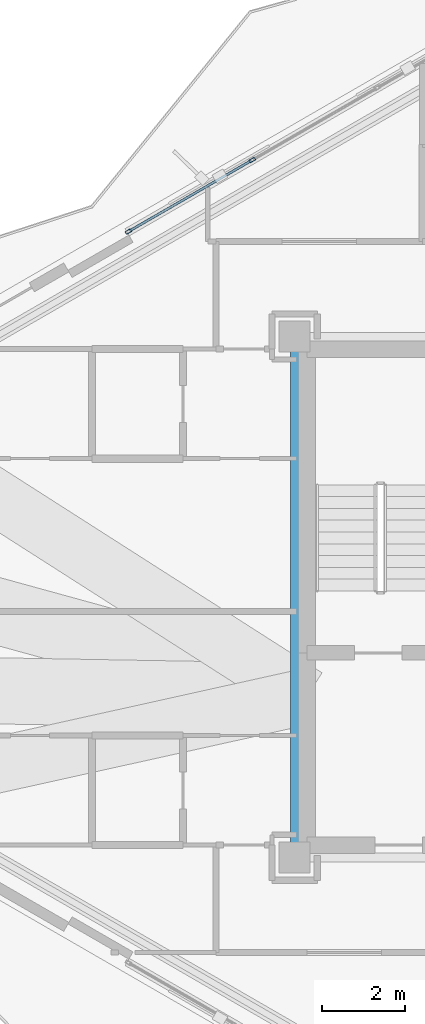
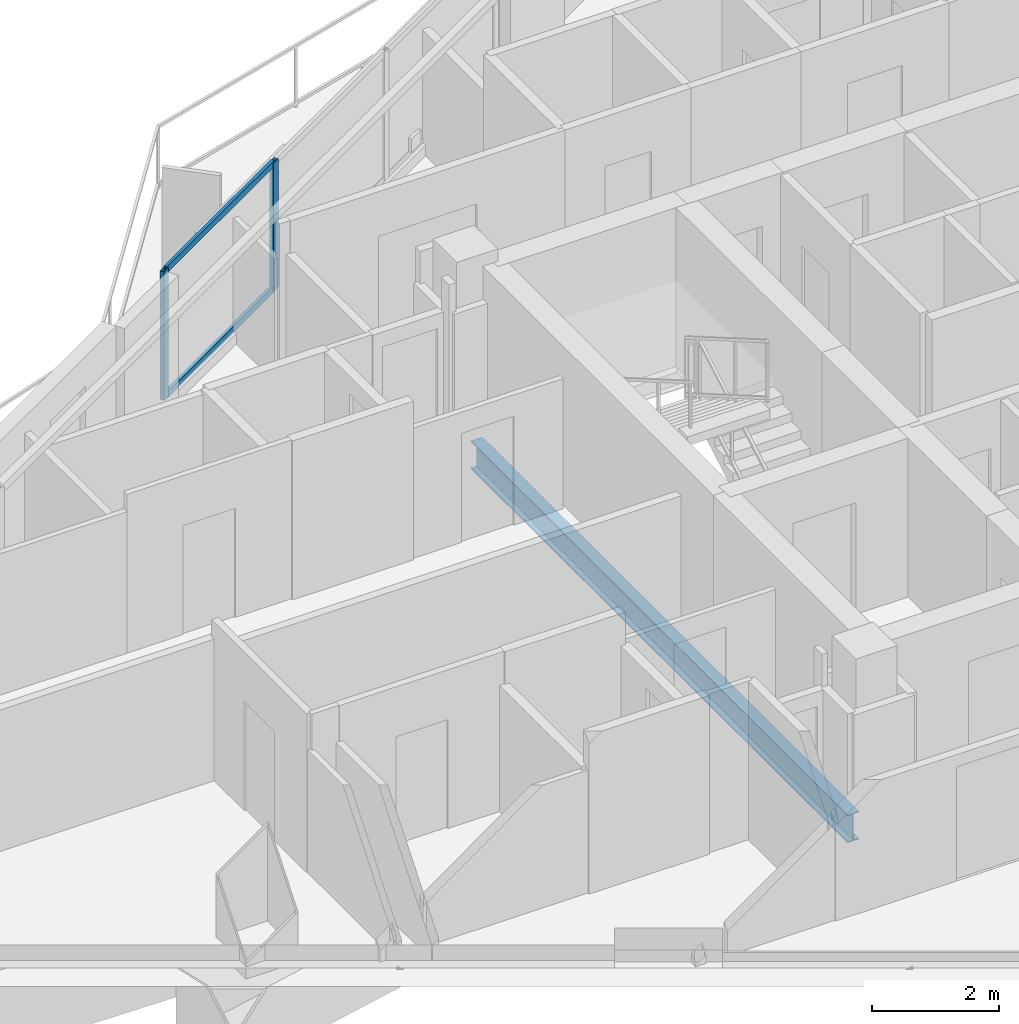
# One storey, part 6 of 21: 4 members, 1 beam, 1 element without a shape of its own.
"""IFC4 building model written with IfcOpenShell, lengths in metres."""

from ifc_helpers import new_model, si_unit, direction, frame, origin, origin_2d, place, context, subcontext, project, spatial, hollow_rectangle, i_section, extrude, material, layer, layer_set, material_profile, profile_set, type_object, element, aggregate, save


model = new_model("IFC4")

# Units and contexts
model_context = context("Model", 3, precision=1e-05, world=origin(), true_north=direction((0.0, 1.0)))
body_context = subcontext(model_context, "Body", "Model", "MODEL_VIEW")
ifc_project = project(units=[si_unit("LENGTHUNIT", "METRE"), si_unit("AREAUNIT", "SQUARE_METRE"), si_unit("VOLUMEUNIT", "CUBIC_METRE"), si_unit("PLANEANGLEUNIT", "RADIAN"), si_unit("MASSUNIT", "GRAM", prefix="KILO")], contexts=[model_context])

# Site, building, storey
site_placement = place(None, origin())
site = spatial("IfcSite", under=ifc_project, at=site_placement, CompositionType="ELEMENT")
building_placement = place(site_placement, origin())
building = spatial("IfcBuilding", under=site, at=building_placement, Name="Mersakhor Tower and Convention Hall", CompositionType="ELEMENT")
storey_placement = place(building_placement, frame((0.0, 0.0, 121.199951171875)))
storey = spatial("IfcBuildingStorey", under=building, at=storey_placement, Name="L33", CompositionType="ELEMENT", Elevation=121.199951171875)

# Beam
ifc_material_1 = material(Name="Steel S355", Category="steel")
ifc_material_profile_1 = material_profile(ifc_material_1, i_section(OverallWidth=0.2099609375, OverallDepth=0.53662109375, WebThickness=0.0107421875, FlangeThickness=0.017333984375, at=origin_2d()), Name="UB 533x210x101")
ifc_profile_set_1 = profile_set([ifc_material_profile_1], Name="Steel S355")
beam_type = type_object("IfcBeamType", Name="BM-FB-533", PredefinedType="BEAM", material=ifc_profile_set_1)
beam_placement = place(storey_placement, frame((21.89990234375, 20.804931640625, -0.50830078125), z_axis=(0.0, 1.0, 0.0), x_axis=(-1.0, 0.0, 0.0)))
element("IfcBeam", 1, at=beam_placement, inside=storey, type_object=beam_type, Name="L33 Core Ring Tie Beam CRB-1", PredefinedType="BEAM", context=body_context, shape_type="SweptSolid", body=[
    extrude(i_section(OverallWidth=0.2099609375, OverallDepth=0.53662109375, WebThickness=0.0107421875, FlangeThickness=0.017333984375, at=origin_2d()), origin(), (0.0, 0.0, 1.0), 11.89013671875),
])

# Curtain wall, members
ifc_material_2 = material(Name="Dark solar low-E aluminium curtain wall", Category="aluminium")
ifc_layer = layer(ifc_material_2, 0.169921875)
ifc_layer_set = layer_set([ifc_layer], Name="Dark solar low-E aluminium curtain wall")
curtain_wall_type = type_object("IfcCurtainWallType", Name="CW-SYS-02", PredefinedType="USERDEFINED", material=ifc_layer_set)
curtain_wall_placement = place(storey_placement, origin())
curtain_wall = element("IfcCurtainWall", 2, at=curtain_wall_placement, inside=storey, type_object=curtain_wall_type, Name="L33 Dark-Glass Curtain Wall F1-B2", ObjectType="CURTAIN WALL", PredefinedType="USERDEFINED")
ifc_material_3 = material(Name="Anodised aluminium EN AW-6063 T6", Category="aluminium")
ifc_material_profile_2 = material_profile(ifc_material_3, hollow_rectangle(XDim=0.074951171875, YDim=0.14990234375, WallThickness=0.00634765625, at=origin_2d()), Name="RHS 150x75x6.3")
ifc_profile_set_2 = profile_set([ifc_material_profile_2], Name="Anodised aluminium EN AW-6063 T6")
member_type_1 = type_object("IfcMemberType", Name="CWM-150x75", PredefinedType="MULLION", material=ifc_profile_set_2)
member_1_placement = place(storey_placement, frame((17.88232421875, 35.595458984375, 0.199951171875), z_axis=(0.0, 0.0, 1.0), x_axis=(-0.499990468363, 0.866030906807, 0.0)))
member_1 = element("IfcMember", 3, at=member_1_placement, type_object=member_type_1, Name="CW-02 mullion 1", PredefinedType="MULLION", context=body_context, shape_type="SweptSolid", body=[
    extrude(hollow_rectangle(XDim=0.074951171875, YDim=0.14990234375, WallThickness=0.00634765625, at=origin_2d()), origin(), (0.0, 0.0, 1.0), 2.47998046875),
])
member_2_placement = place(storey_placement, frame((20.876953125, 37.32421875, 0.199951171875), z_axis=(0.0, 0.0, 1.0), x_axis=(-0.499990468363, 0.866030906807, 0.0)))
member_2 = element("IfcMember", 4, at=member_2_placement, type_object=member_type_1, Name="CW-02 mullion 2", PredefinedType="MULLION", context=body_context, shape_type="SweptSolid", body=[
    extrude(hollow_rectangle(XDim=0.074951171875, YDim=0.14990234375, WallThickness=0.00634765625, at=origin_2d()), origin(), (0.0, 0.0, 1.0), 2.47998046875),
])
ifc_material_4 = material(Name="Anodised aluminium EN AW-6063 T6", Category="aluminium")
ifc_material_profile_3 = material_profile(ifc_material_4, hollow_rectangle(XDim=0.06005859375, YDim=0.1201171875, WallThickness=0.0048828125, at=origin_2d()), Name="RHS 120x60x5")
ifc_profile_set_3 = profile_set([ifc_material_profile_3], Name="Anodised aluminium EN AW-6063 T6")
member_type_2 = type_object("IfcMemberType", Name="CWT-120x60", PredefinedType="USERDEFINED", material=ifc_profile_set_3)
member_3_placement = place(storey_placement, frame((17.914794921875, 35.6142578125, 0.22998046875), z_axis=(0.866031754707, 0.499988999718, 0.0), x_axis=(-0.499988999718, 0.866031754707, 0.0)))
member_3 = element("IfcMember", 5, at=member_3_placement, type_object=member_type_2, Name="CW-02 transom 1.1", ObjectType="TRANSOM", PredefinedType="USERDEFINED", context=body_context, shape_type="SweptSolid", body=[
    extrude(hollow_rectangle(XDim=0.06005859375, YDim=0.1201171875, WallThickness=0.0048828125, at=origin_2d()), origin(), (0.0, 0.0, 1.0), 3.3828125),
])
member_4_placement = place(storey_placement, frame((17.914794921875, 35.6142578125, 2.650146484375), z_axis=(0.866031754707, 0.499988999718, 0.0), x_axis=(-0.499988999718, 0.866031754707, 0.0)))
member_4 = element("IfcMember", 6, at=member_4_placement, type_object=member_type_2, Name="CW-02 transom 1.2", ObjectType="TRANSOM", PredefinedType="USERDEFINED", context=body_context, shape_type="SweptSolid", body=[
    extrude(hollow_rectangle(XDim=0.06005859375, YDim=0.1201171875, WallThickness=0.0048828125, at=origin_2d()), origin(), (0.0, 0.0, 1.0), 3.3828125),
])
aggregate(curtain_wall, [member_1, member_2, member_3, member_4])

save(model, "model.ifc")
